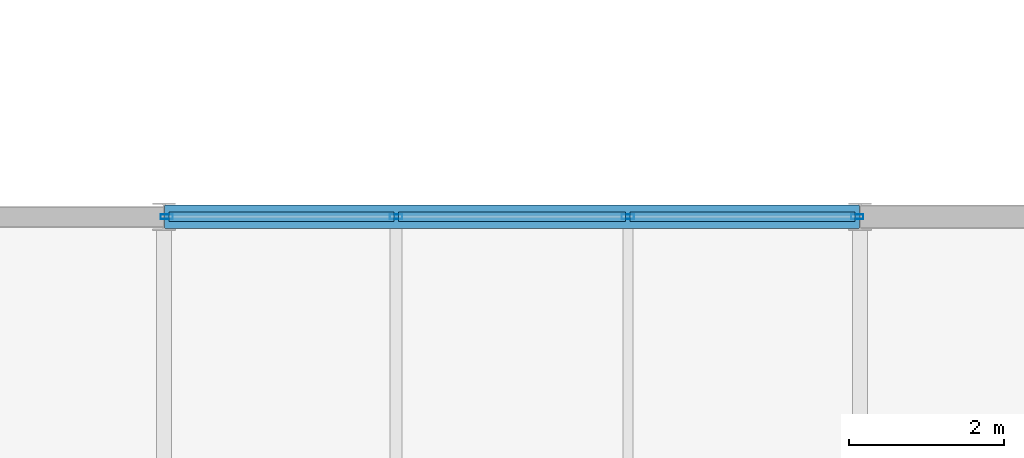
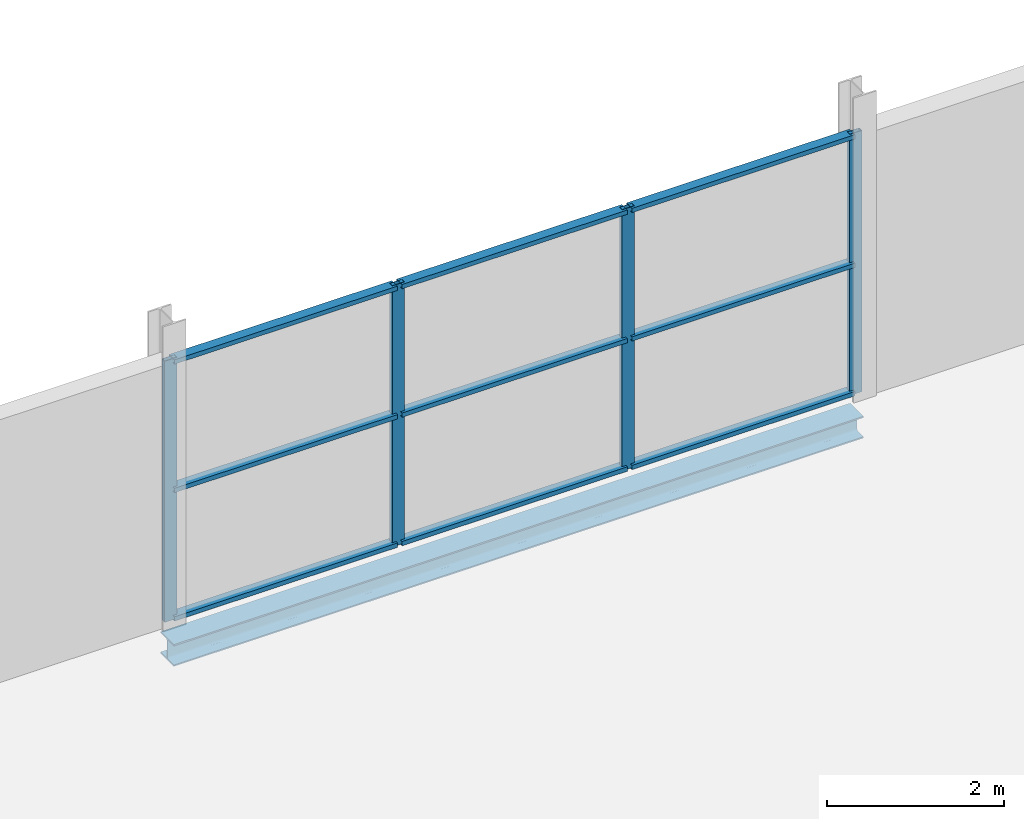
# One storey, part 99 of 135: 13 members, 1 beam, 1 element without a shape of its own.
"""IFC4 building model written with IfcOpenShell, lengths in metres."""

from ifc_helpers import new_model, si_unit, direction, frame, origin, origin_2d, place, context, subcontext, project, spatial, hollow_rectangle, i_section, extrude, material, layer, layer_set, material_profile, profile_set, type_object, element, aggregate, save


model = new_model("IFC4")

# Units and contexts
model_context = context("Model", 3, precision=1e-05, world=origin(), true_north=direction((0.0, 1.0)))
body_context = subcontext(model_context, "Body", "Model", "MODEL_VIEW")
ifc_project = project(units=[si_unit("LENGTHUNIT", "METRE"), si_unit("AREAUNIT", "SQUARE_METRE"), si_unit("VOLUMEUNIT", "CUBIC_METRE"), si_unit("PLANEANGLEUNIT", "RADIAN"), si_unit("MASSUNIT", "GRAM", prefix="KILO")], contexts=[model_context])

# Site, building, storey
site_placement = place(None, origin())
site = spatial("IfcSite", under=ifc_project, at=site_placement, CompositionType="ELEMENT")
building_placement = place(site_placement, origin())
building = spatial("IfcBuilding", under=site, at=building_placement, Name="Deido Ridge Mobility Hub", CompositionType="ELEMENT")
storey_placement = place(building_placement, frame((0.0, 0.0, 4.199951171875)))
storey = spatial("IfcBuildingStorey", under=building, at=storey_placement, Name="L01", CompositionType="ELEMENT", Elevation=4.199951171875)

# Curtain wall, members
ifc_material_1 = material(Name="Anodised aluminium EN AW-6063 T6", Category="aluminium")
ifc_layer = layer(ifc_material_1, 0.16796875, Name="Anodised aluminium EN AW-6063 T6")
ifc_layer_set = layer_set([ifc_layer], Name="Anodised aluminium EN AW-6063 T6")
curtain_wall_type = type_object("IfcCurtainWallType", Name="CW-GS-4", PredefinedType="USERDEFINED", material=ifc_layer_set)
curtain_wall_placement = place(storey_placement, origin())
curtain_wall = element("IfcCurtainWall", 1, at=curtain_wall_placement, inside=storey, type_object=curtain_wall_type, Name="Unitised curtain wall GS4", ObjectType="GLAZED SCREEN", PredefinedType="USERDEFINED")
ifc_material_profile_1 = material_profile(ifc_material_1, hollow_rectangle(XDim=0.06005859375, YDim=0.159912109375, WallThickness=0.00390625, at=origin_2d()), Name="RHS 60x160x4")
ifc_profile_set_1 = profile_set([ifc_material_profile_1], Name="Anodised aluminium EN AW-6063 T6")
member_type_1 = type_object("IfcMemberType", Name="MEM-MUL-60X160", PredefinedType="MULLION", material=ifc_profile_set_1)
member_1_placement = place(storey_placement, frame((162.0361328125, 72.0, 0.0), z_axis=(0.0, 0.0, 1.0), x_axis=(0.0, 1.0, 0.0)))
member_1 = element("IfcMember", 2, at=member_1_placement, type_object=member_type_1, Name="GS4 mullion 1", PredefinedType="MULLION", context=body_context, shape_type="SweptSolid", body=[
    extrude(hollow_rectangle(XDim=0.06005859375, YDim=0.159912109375, WallThickness=0.00390625, at=origin_2d()), origin(), (0.0, 0.0, 1.0), 3.60009765625),
])
member_2_placement = place(storey_placement, frame((165.001953125, 72.0, 0.0), z_axis=(0.0, 0.0, 1.0), x_axis=(0.0, 1.0, 0.0)))
member_2 = element("IfcMember", 3, at=member_2_placement, type_object=member_type_1, Name="GS4 mullion 2", PredefinedType="MULLION", context=body_context, shape_type="SweptSolid", body=[
    extrude(hollow_rectangle(XDim=0.06005859375, YDim=0.159912109375, WallThickness=0.00390625, at=origin_2d()), origin(), (0.0, 0.0, 1.0), 3.60009765625),
])
member_3_placement = place(storey_placement, frame((167.998046875, 72.0, 0.0), z_axis=(0.0, 0.0, 1.0), x_axis=(0.0, 1.0, 0.0)))
member_3 = element("IfcMember", 4, at=member_3_placement, type_object=member_type_1, Name="GS4 mullion 3", PredefinedType="MULLION", context=body_context, shape_type="SweptSolid", body=[
    extrude(hollow_rectangle(XDim=0.06005859375, YDim=0.159912109375, WallThickness=0.00390625, at=origin_2d()), origin(), (0.0, 0.0, 1.0), 3.60009765625),
])
member_4_placement = place(storey_placement, frame((170.9638671875, 72.0, 0.0), z_axis=(0.0, 0.0, 1.0), x_axis=(0.0, 1.0, 0.0)))
member_4 = element("IfcMember", 5, at=member_4_placement, type_object=member_type_1, Name="GS4 mullion 4", PredefinedType="MULLION", context=body_context, shape_type="SweptSolid", body=[
    extrude(hollow_rectangle(XDim=0.06005859375, YDim=0.159912109375, WallThickness=0.00390625, at=origin_2d()), origin(), (0.0, 0.0, 1.0), 3.60009765625),
])
ifc_material_profile_2 = material_profile(ifc_material_1, hollow_rectangle(XDim=0.125, YDim=0.06005859375, WallThickness=0.00390625, at=origin_2d()), Name="RHS 125x60x4")
ifc_profile_set_2 = profile_set([ifc_material_profile_2], Name="Anodised aluminium EN AW-6063 T6")
member_type_2 = type_object("IfcMemberType", Name="MEM-TRN-125X60", PredefinedType="USERDEFINED", material=ifc_profile_set_2)
member_5_placement = place(storey_placement, frame((162.066162109375, 72.0, 0.030029296875), z_axis=(1.0, 0.0, 0.0), x_axis=(0.0, 1.0, 0.0)))
member_5 = element("IfcMember", 6, at=member_5_placement, type_object=member_type_2, Name="GS4 transom 1.1", ObjectType="TRANSOM", PredefinedType="USERDEFINED", context=body_context, shape_type="SweptSolid", body=[
    extrude(hollow_rectangle(XDim=0.125, YDim=0.06005859375, WallThickness=0.00390625, at=origin_2d()), origin(), (0.0, 0.0, 1.0), 2.906005859375),
])
member_6_placement = place(storey_placement, frame((162.066162109375, 72.0, 1.800048828125), z_axis=(1.0, 0.0, 0.0), x_axis=(0.0, 1.0, 0.0)))
member_6 = element("IfcMember", 7, at=member_6_placement, type_object=member_type_2, Name="GS4 transom 1.2", ObjectType="TRANSOM", PredefinedType="USERDEFINED", context=body_context, shape_type="SweptSolid", body=[
    extrude(hollow_rectangle(XDim=0.125, YDim=0.06005859375, WallThickness=0.00390625, at=origin_2d()), origin(), (0.0, 0.0, 1.0), 2.906005859375),
])
member_7_placement = place(storey_placement, frame((162.066162109375, 72.0, 3.570068359375), z_axis=(1.0, 0.0, 0.0), x_axis=(0.0, 1.0, 0.0)))
member_7 = element("IfcMember", 8, at=member_7_placement, type_object=member_type_2, Name="GS4 transom 1.3", ObjectType="TRANSOM", PredefinedType="USERDEFINED", context=body_context, shape_type="SweptSolid", body=[
    extrude(hollow_rectangle(XDim=0.125, YDim=0.06005859375, WallThickness=0.00390625, at=origin_2d()), origin(), (0.0, 0.0, 1.0), 2.906005859375),
])
member_8_placement = place(storey_placement, frame((165.031982421875, 72.0, 0.030029296875), z_axis=(1.0, 0.0, 0.0), x_axis=(0.0, 1.0, 0.0)))
member_8 = element("IfcMember", 9, at=member_8_placement, type_object=member_type_2, Name="GS4 transom 2.1", ObjectType="TRANSOM", PredefinedType="USERDEFINED", context=body_context, shape_type="SweptSolid", body=[
    extrude(hollow_rectangle(XDim=0.125, YDim=0.06005859375, WallThickness=0.00390625, at=origin_2d()), origin(), (0.0, 0.0, 1.0), 2.93603515625),
])
member_9_placement = place(storey_placement, frame((165.031982421875, 72.0, 1.800048828125), z_axis=(1.0, 0.0, 0.0), x_axis=(0.0, 1.0, 0.0)))
member_9 = element("IfcMember", 10, at=member_9_placement, type_object=member_type_2, Name="GS4 transom 2.2", ObjectType="TRANSOM", PredefinedType="USERDEFINED", context=body_context, shape_type="SweptSolid", body=[
    extrude(hollow_rectangle(XDim=0.125, YDim=0.06005859375, WallThickness=0.00390625, at=origin_2d()), origin(), (0.0, 0.0, 1.0), 2.93603515625),
])
member_10_placement = place(storey_placement, frame((165.031982421875, 72.0, 3.570068359375), z_axis=(1.0, 0.0, 0.0), x_axis=(0.0, 1.0, 0.0)))
member_10 = element("IfcMember", 11, at=member_10_placement, type_object=member_type_2, Name="GS4 transom 2.3", ObjectType="TRANSOM", PredefinedType="USERDEFINED", context=body_context, shape_type="SweptSolid", body=[
    extrude(hollow_rectangle(XDim=0.125, YDim=0.06005859375, WallThickness=0.00390625, at=origin_2d()), origin(), (0.0, 0.0, 1.0), 2.93603515625),
])
member_11_placement = place(storey_placement, frame((168.02783203125, 72.0, 0.030029296875), z_axis=(1.0, 0.0, 0.0), x_axis=(0.0, 1.0, 0.0)))
member_11 = element("IfcMember", 12, at=member_11_placement, type_object=member_type_2, Name="GS4 transom 3.1", ObjectType="TRANSOM", PredefinedType="USERDEFINED", context=body_context, shape_type="SweptSolid", body=[
    extrude(hollow_rectangle(XDim=0.125, YDim=0.06005859375, WallThickness=0.00390625, at=origin_2d()), origin(), (0.0, 0.0, 1.0), 2.906005859375),
])
member_12_placement = place(storey_placement, frame((168.02783203125, 72.0, 1.800048828125), z_axis=(1.0, 0.0, 0.0), x_axis=(0.0, 1.0, 0.0)))
member_12 = element("IfcMember", 13, at=member_12_placement, type_object=member_type_2, Name="GS4 transom 3.2", ObjectType="TRANSOM", PredefinedType="USERDEFINED", context=body_context, shape_type="SweptSolid", body=[
    extrude(hollow_rectangle(XDim=0.125, YDim=0.06005859375, WallThickness=0.00390625, at=origin_2d()), origin(), (0.0, 0.0, 1.0), 2.906005859375),
])
member_13_placement = place(storey_placement, frame((168.02783203125, 72.0, 3.570068359375), z_axis=(1.0, 0.0, 0.0), x_axis=(0.0, 1.0, 0.0)))
member_13 = element("IfcMember", 14, at=member_13_placement, type_object=member_type_2, Name="GS4 transom 3.3", ObjectType="TRANSOM", PredefinedType="USERDEFINED", context=body_context, shape_type="SweptSolid", body=[
    extrude(hollow_rectangle(XDim=0.125, YDim=0.06005859375, WallThickness=0.00390625, at=origin_2d()), origin(), (0.0, 0.0, 1.0), 2.906005859375),
])
aggregate(curtain_wall, [member_1, member_2, member_3, member_4, member_5, member_6, member_7, member_8, member_9, member_10, member_11, member_12, member_13])

# Beam
ifc_material_2 = material(Name="Steel S355J2 EN 10025-2", Category="steel")
ifc_material_profile_3 = material_profile(ifc_material_2, i_section(OverallWidth=0.300048828125, OverallDepth=0.300048828125, WebThickness=0.010986328125, FlangeThickness=0.01904296875, FilletRadius=0.027099609375, at=origin_2d()), Name="HEB 300")
ifc_profile_set_3 = profile_set([ifc_material_profile_3], Name="Steel S355J2 EN 10025-2")
beam_type = type_object("IfcBeamType", Name="SPD-HEB300", PredefinedType="SPANDREL", material=ifc_profile_set_3)
beam_placement = place(storey_placement, frame((162.006103515625, 72.0, -0.39990234375), z_axis=(1.0, 0.0, 0.0), x_axis=(0.0, 1.0, 0.0)))
element("IfcBeam", 15, at=beam_placement, inside=storey, type_object=beam_type, Name="Floor beam SP1", PredefinedType="SPANDREL", context=body_context, shape_type="SweptSolid", body=[
    extrude(i_section(OverallWidth=0.300048828125, OverallDepth=0.300048828125, WebThickness=0.010986328125, FlangeThickness=0.01904296875, FilletRadius=0.027099609375, at=origin_2d()), origin(), (0.0, 0.0, 1.0), 8.98779296875),
])

save(model, "model.ifc")
